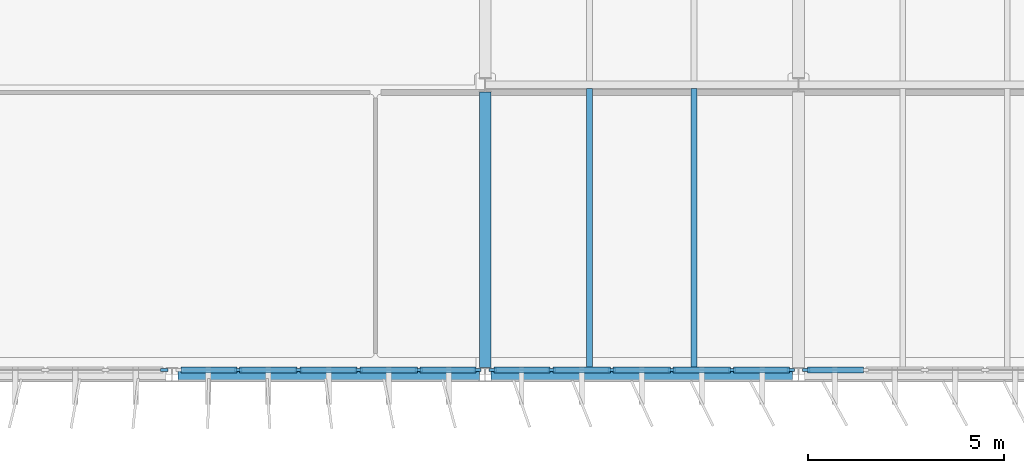
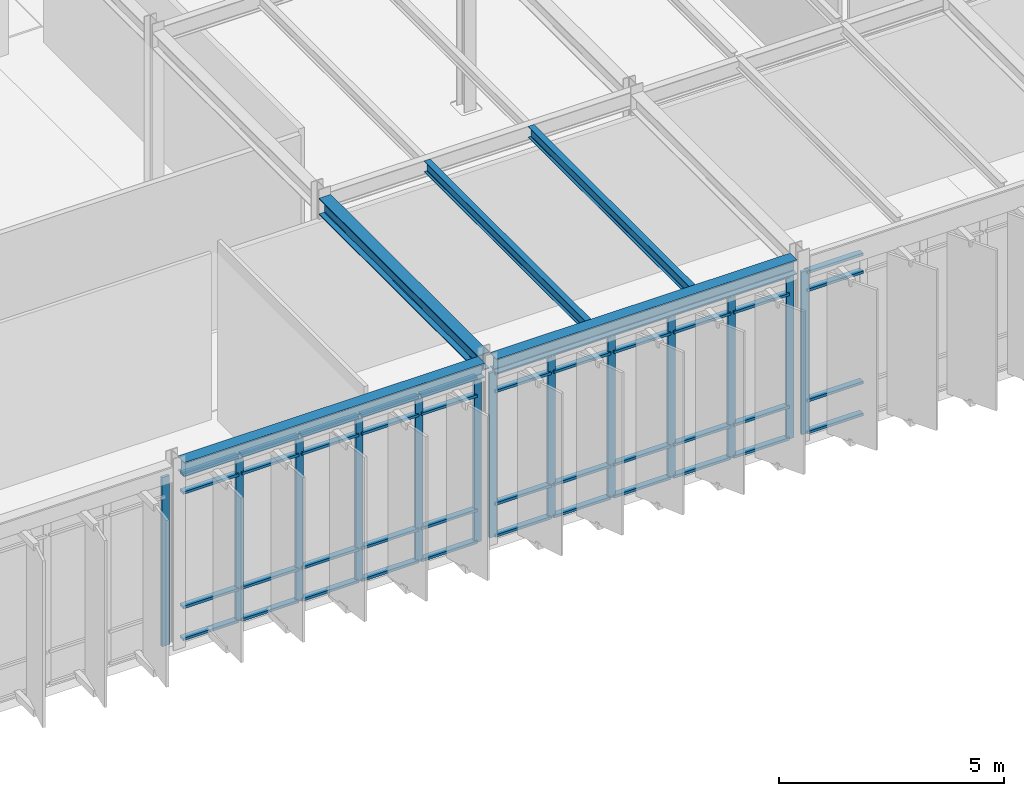
# One storey, part 16 of 48: 57 members, 5 beams, 4 elements without a shape of their own.
"""IFC4 building model written with IfcOpenShell, lengths in metres."""

import ifcopenshell
import ifcopenshell.guid

model = None  # the IFC model being written
_history = None  # IfcOwnerHistory: only IFC2X3 demands one
_inside = {}  # id of a spatial element -> (the spatial element, [elements in it])
_under = {}  # id of a project, library or spatial element -> (it, [spatial elements below it])
_declared = {}  # id of a project -> (the project, [libraries it declares])
_typed = {}  # id of a type object -> (the type object, [elements of that type])
_made_of = {}  # id of a material, layer set ... -> (it, [elements and type objects made of it])


def new_model(schema):
    """Start an empty IFC model of exactly this schema.

    Asked for "IFC4X3", IfcOpenShell would pick the latest addendum, in which some entities
    have other attributes; the version numbers below select the first issue.
    IFC2X3 requires an IfcOwnerHistory on every rooted entity: one is made here for all.
    """
    global model, _history
    if schema == "IFC4X3":
        model = ifcopenshell.file(schema_version=(4, 3, 0, 0))
    else:
        model = ifcopenshell.file(schema=schema)
    _inside.clear()
    _under.clear()
    _declared.clear()
    _typed.clear()
    _made_of.clear()
    _history = None
    if model.schema == "IFC2X3":
        org = make("IfcOrganization", Name="unknown")
        user = make(
            "IfcPersonAndOrganization",
            ThePerson=make("IfcPerson", FamilyName="unknown"),
            TheOrganization=org,
        )
        app = make(
            "IfcApplication",
            ApplicationDeveloper=org,
            Version="unknown",
            ApplicationFullName="unknown",
            ApplicationIdentifier="unknown",
        )
        _history = make(
            "IfcOwnerHistory",
            OwningUser=user,
            OwningApplication=app,
            ChangeAction="ADDED",
            CreationDate=0,
        )
    return model


def make(cls, **values):
    """One entity of the class cls with the attributes given. An attribute that is None is left unset."""
    return model.create_entity(
        cls, **{name: value for name, value in values.items() if value is not None}
    )


def rooted(cls, **values):
    """An entity with a GlobalId (a new one), such as an element, a storey or a relation."""
    return make(cls, GlobalId=ifcopenshell.guid.new(), OwnerHistory=_history, **values)


def si_unit(unit_type, name, prefix=None):
    """IfcSIUnit, for example si_unit("LENGTHUNIT", "METRE", prefix="MILLI")."""
    return make("IfcSIUnit", UnitType=unit_type, Prefix=prefix, Name=name)


def assignment(units):
    """IfcUnitAssignment: the units of a project."""
    return None if units is None else make("IfcUnitAssignment", Units=units)


def point(xyz):
    """IfcCartesianPoint."""
    return None if xyz is None else make("IfcCartesianPoint", Coordinates=xyz)


def direction(xyz):
    """IfcDirection."""
    return None if xyz is None else make("IfcDirection", DirectionRatios=xyz)


def frame(location, z_axis=None, x_axis=None):
    """IfcAxis2Placement3D, a coordinate frame: its origin and axes. An axis left out is left unset."""
    return make(
        "IfcAxis2Placement3D",
        Location=point(location),
        Axis=direction(z_axis),
        RefDirection=direction(x_axis),
    )


def frame_2d(location, x_axis=None):
    """IfcAxis2Placement2D, a coordinate frame in the plane: its origin and x axis."""
    return make(
        "IfcAxis2Placement2D", Location=point(location), RefDirection=direction(x_axis)
    )


def origin():
    """The frame at (0, 0, 0) with its axes left unset."""
    return frame((0.0, 0.0, 0.0))


def origin_2d():
    """The frame at (0, 0) in the plane with its x axis left unset."""
    return frame_2d((0.0, 0.0))


def place(relative_to, where):
    """IfcLocalPlacement: puts the frame where relative to a parent placement (None: the world)."""
    return make(
        "IfcLocalPlacement", PlacementRelTo=relative_to, RelativePlacement=where
    )


def context(
    kind, dimensions, precision=None, world=None, true_north=None, identifier=None
):
    """IfcGeometricRepresentationContext, for example the 3D "Model" context."""
    return make(
        "IfcGeometricRepresentationContext",
        ContextIdentifier=identifier,
        ContextType=kind,
        CoordinateSpaceDimension=dimensions,
        Precision=precision,
        WorldCoordinateSystem=world,
        TrueNorth=true_north,
    )


def subcontext(parent, identifier, kind, view, scale=None):
    """IfcGeometricRepresentationSubContext, for example "Body" below "Model"."""
    return make(
        "IfcGeometricRepresentationSubContext",
        ContextIdentifier=identifier,
        ContextType=kind,
        ParentContext=parent,
        TargetScale=scale,
        TargetView=view,
    )


def project(units=None, contexts=None):
    """IfcProject with its units and contexts."""
    return rooted(
        "IfcProject",
        Name="project",
        RepresentationContexts=contexts,
        UnitsInContext=assignment(units),
    )


def spatial(cls, under=None, at=None, **own):
    """A site, building, storey or space (cls), placed at a placement, below another one or the project."""
    s = rooted(cls, ObjectPlacement=at, **own)
    if under is not None:
        _under.setdefault(under.id(), (under, []))[1].append(s)
    return s


def profile(cls, at=None, kind="AREA", **sizes):
    """A parametric profile (cls). Its sizes go by their IFC names, for example OverallWidth=200.0."""
    return make(cls, ProfileType=kind, Position=at, **sizes)


def rectangle(**sizes):
    """IfcRectangleProfileDef."""
    return profile("IfcRectangleProfileDef", **sizes)


def i_section(**sizes):
    """IfcIShapeProfileDef."""
    return profile("IfcIShapeProfileDef", **sizes)


def extrude(swept, where, along, depth):
    """IfcExtrudedAreaSolid: the profile swept, set in the frame where, extruded along a direction by depth."""
    return make(
        "IfcExtrudedAreaSolid",
        SweptArea=swept,
        Position=where,
        ExtrudedDirection=direction(along),
        Depth=depth,
    )


def shape(context_of_items, identifier, shape_type, items):
    """IfcShapeRepresentation: the items that make up one representation, for example the "Body"."""
    return make(
        "IfcShapeRepresentation",
        ContextOfItems=context_of_items,
        RepresentationIdentifier=identifier,
        RepresentationType=shape_type,
        Items=items,
    )


def material(Name=None, Category=None):
    """IfcMaterial."""
    return make("IfcMaterial", Name=Name, Category=Category)


def layer(
    of_material, thickness, ventilated=None, Name=None, Category=None, Priority=None
):
    """IfcMaterialLayer: one layer of a wall or slab, of a material (None: an air gap)."""
    return make(
        "IfcMaterialLayer",
        Material=of_material,
        LayerThickness=thickness,
        IsVentilated=ventilated,
        Name=Name,
        Category=Category,
        Priority=Priority,
    )


def layer_set(layers, Name=None):
    """IfcMaterialLayerSet."""
    return make("IfcMaterialLayerSet", MaterialLayers=layers, LayerSetName=Name)


def material_profile(
    of_material, cross_section, Name=None, Category=None, Priority=None
):
    """IfcMaterialProfile: a cross section and its material."""
    return make(
        "IfcMaterialProfile",
        Name=Name,
        Material=of_material,
        Profile=cross_section,
        Priority=Priority,
        Category=Category,
    )


def profile_set(profiles, Name=None, composite=None):
    """IfcMaterialProfileSet."""
    return make(
        "IfcMaterialProfileSet",
        Name=Name,
        MaterialProfiles=profiles,
        CompositeProfile=composite,
    )


def made_of(thing, what):
    """Note that an element or type object is made of a material, layer set ...; save() writes the relation."""
    if what is not None:
        _made_of.setdefault(what.id(), (what, []))[1].append(thing)
    return thing


def type_object(cls, material=None, **own):
    """A type object (cls), such as IfcWallType, which elements share."""
    return made_of(rooted(cls, **own), material)


def element(
    cls,
    number,
    at=None,
    inside=None,
    cuts=None,
    type_object=None,
    material=None,
    context=None,
    identifier="Body",
    shape_type=None,
    held_by="IfcProductDefinitionShape",
    body=None,
    shapes=None,
    **own,
):
    """One element of the class cls, such as IfcWall. Its Tag is "e" and its number.

    at: its placement. inside: the storey or other place that contains it. cuts: it is an
    opening in that element (IfcRelVoidsElement). A single representation is given by context,
    identifier, shape_type and body (its items); several are given by shapes. held_by: the class
    of the entity that holds the representations. save() writes the other relations.
    """
    e = rooted(cls, Tag="e%d" % number, ObjectPlacement=at, **own)
    if body is not None:
        shapes = [shape(context, identifier, shape_type, body)]
    if shapes is not None:
        e.Representation = make(held_by, Representations=shapes)
    if inside is not None:
        _inside.setdefault(inside.id(), (inside, []))[1].append(e)
    if cuts is not None:
        rooted(
            "IfcRelVoidsElement", RelatingBuildingElement=cuts, RelatedOpeningElement=e
        )
    if type_object is not None:
        _typed.setdefault(type_object.id(), (type_object, []))[1].append(e)
    return made_of(e, material)


def aggregate(whole, parts):
    """IfcRelAggregates: a whole, such as a stair, and the parts it consists of."""
    return rooted("IfcRelAggregates", RelatingObject=whole, RelatedObjects=parts)


def save(model, path):
    """Write the relations noted so far, then the file.

    IfcRelAggregates (storeys below a building ...), IfcRelContainedInSpatialStructure (elements
    in a storey), IfcRelDefinesByType, IfcRelAssociatesMaterial and IfcRelDeclares: one each for
    every whole, place, type object, material and project.
    """
    for whole, parts in _under.values():
        aggregate(whole, parts)
    for where, things in _inside.values():
        rooted(
            "IfcRelContainedInSpatialStructure",
            RelatedElements=things,
            RelatingStructure=where,
        )
    for kind, things in _typed.values():
        rooted("IfcRelDefinesByType", RelatedObjects=things, RelatingType=kind)
    for what, things in _made_of.values():
        rooted("IfcRelAssociatesMaterial", RelatedObjects=things, RelatingMaterial=what)
    for by, libraries in _declared.values():
        rooted("IfcRelDeclares", RelatingContext=by, RelatedDefinitions=libraries)
    model.write(path)


model = new_model("IFC4")

# Units and contexts
model_context = context("Model", 3, precision=1e-05, world=origin(), true_north=direction((0.0, 1.0)))
body_context = subcontext(model_context, "Body", "Model", "MODEL_VIEW")
ifc_project = project(units=[si_unit("LENGTHUNIT", "METRE"), si_unit("AREAUNIT", "SQUARE_METRE"), si_unit("VOLUMEUNIT", "CUBIC_METRE"), si_unit("PLANEANGLEUNIT", "RADIAN"), si_unit("MASSUNIT", "GRAM", prefix="KILO")], contexts=[model_context])

# Site, building, storey
site_placement = place(None, origin())
site = spatial("IfcSite", under=ifc_project, at=site_placement, CompositionType="ELEMENT")
building_placement = place(site_placement, origin())
building = spatial("IfcBuilding", under=site, at=building_placement, Name="Valkorina Park Police Headquarters", CompositionType="ELEMENT")
storey_placement = place(building_placement, frame((0.0, 0.0, 18.10009765625)))
storey = spatial("IfcBuildingStorey", under=building, at=storey_placement, Name="L05", CompositionType="ELEMENT", Elevation=18.10009765625)

# Beams
ifc_material_1 = material(Name="Steel S355", Category="steel")
ifc_material_profile_1 = material_profile(ifc_material_1, i_section(OverallWidth=0.300048828125, OverallDepth=0.389892578125, WebThickness=0.010986328125, FlangeThickness=0.01904296875, FilletRadius=0.027099609375, at=origin_2d()), Name="HEA 400")
ifc_profile_set_1 = profile_set([ifc_material_profile_1], Name="Steel S355")
beam_type_1 = type_object("IfcBeamType", Name="BM-S355-HEA400-SPN", PredefinedType="SPANDREL", material=ifc_profile_set_1)
for number, where, z_axis, x_axis, name in (
    (1, (72.949951171875, 37.0, 4.784912109375), (1.0, 0.0, 0.0), (0.0, 1.0, 0.0), "L05 Framing Beam 2463"),
    (2, (80.949951171875, 37.0, 4.784912109375), (1.0, 0.0, 0.0), (0.0, 1.0, 0.0), "L05 Framing Beam 2464"),
):
    element("IfcBeam", number, at=place(storey_placement, frame(where, z_axis=z_axis, x_axis=x_axis)), inside=storey, type_object=beam_type_1, Name=name, PredefinedType="SPANDREL", context=body_context, shape_type="SweptSolid", body=[
        extrude(i_section(OverallWidth=0.300048828125, OverallDepth=0.389892578125, WebThickness=0.010986328125, FlangeThickness=0.01904296875, FilletRadius=0.027099609375, at=origin_2d()), origin(), (0.0, 0.0, 1.0), 7.699951171875),
    ])
ifc_material_profile_2 = material_profile(ifc_material_1, i_section(OverallWidth=0.300048828125, OverallDepth=0.449951171875, WebThickness=0.013916015625, FlangeThickness=0.02587890625, FilletRadius=0.027099609375, at=origin_2d()), Name="HEB 450")
ifc_profile_set_2 = profile_set([ifc_material_profile_2], Name="Steel S355")
beam_type_2 = type_object("IfcBeamType", Name="BM-S355-HEB450-BM", PredefinedType="BEAM", material=ifc_profile_set_2)
beam_placement = place(storey_placement, frame((80.800048828125, 37.179931640625, 4.7548828125), z_axis=(0.0, 1.0, 0.0), x_axis=(-1.0, 0.0, 0.0)))
element("IfcBeam", 3, at=beam_placement, inside=storey, type_object=beam_type_2, Name="L05 Framing Beam 2547", PredefinedType="BEAM", context=body_context, shape_type="SweptSolid", body=[
    extrude(i_section(OverallWidth=0.300048828125, OverallDepth=0.449951171875, WebThickness=0.013916015625, FlangeThickness=0.02587890625, FilletRadius=0.027099609375, at=origin_2d()), origin(), (0.0, 0.0, 1.0), 7.0400390625),
])
ifc_material_profile_3 = material_profile(ifc_material_1, i_section(OverallWidth=0.14990234375, OverallDepth=0.300048828125, WebThickness=0.007080078125, FlangeThickness=0.0107421875, FilletRadius=0.014892578125, at=origin_2d()), Name="IPE 300")
ifc_profile_set_3 = profile_set([ifc_material_profile_3], Name="Steel S355")
beam_type_3 = type_object("IfcBeamType", Name="BM-S355-IPE300-JST", PredefinedType="JOIST", material=ifc_profile_set_3)
for number, where, z_axis, x_axis, name in (
    (4, (83.466796875, 37.14990234375, 4.829833984375), (0.0, 1.0, 0.0), (-1.0, 0.0, 0.0), "L05 Framing Beam 2548"),
    (5, (86.13330078125, 37.14990234375, 4.829833984375), (0.0, 1.0, 0.0), (-1.0, 0.0, 0.0), "L05 Framing Beam 2549"),
):
    element("IfcBeam", number, at=place(storey_placement, frame(where, z_axis=z_axis, x_axis=x_axis)), inside=storey, type_object=beam_type_3, Name=name, PredefinedType="JOIST", context=body_context, shape_type="SweptSolid", body=[
        extrude(i_section(OverallWidth=0.14990234375, OverallDepth=0.300048828125, WebThickness=0.007080078125, FlangeThickness=0.0107421875, FilletRadius=0.014892578125, at=origin_2d()), origin(), (0.0, 0.0, 1.0), 7.155029296875),
    ])

# Curtain wall, member
ifc_material_2 = material(Name="Thermally broken aluminium AW-6060", Category="aluminium")
ifc_layer_1 = layer(ifc_material_2, 0.18994140625)
ifc_layer_set_1 = layer_set([ifc_layer_1], Name="Thermally broken aluminium AW-6060")
curtain_wall_type_1 = type_object("IfcCurtainWallType", Name="CW-V5-7680x4410", PredefinedType="NOTDEFINED", material=ifc_layer_set_1)
curtain_wall_1_placement = place(storey_placement, origin())
curtain_wall_1 = element("IfcCurtainWall", 6, at=curtain_wall_1_placement, inside=storey, type_object=curtain_wall_type_1, Name="L05 Unitised Curtain Wall 063", PredefinedType="NOTDEFINED")
ifc_material_profile_4 = material_profile(ifc_material_2, rectangle(XDim=0.070068359375, YDim=0.18994140625, at=origin_2d()), Name="CWM-02 70x190")
ifc_profile_set_4 = profile_set([ifc_material_profile_4], Name="Thermally broken aluminium AW-6060")
member_type_1 = type_object("IfcMemberType", Name="CWM-70x190", PredefinedType="MULLION", material=ifc_profile_set_4)
member_1_placement = place(storey_placement, frame((88.9951171875, 37.1201171875, 0.0), z_axis=(0.0, 0.0, 1.0), x_axis=(0.0, -1.0, 0.0)))
member_1 = element("IfcMember", 7, at=member_1_placement, type_object=member_type_1, Name="CW-V5-768-441 mullion 6", PredefinedType="MULLION", context=body_context, shape_type="SweptSolid", body=[
    extrude(rectangle(XDim=0.070068359375, YDim=0.18994140625, at=origin_2d()), origin(), (0.0, 0.0, 1.0), 4.409912109375),
])

# Curtain wall, members
ifc_layer_2 = layer(ifc_material_2, 0.18994140625)
ifc_layer_set_2 = layer_set([ifc_layer_2], Name="Thermally broken aluminium AW-6060")
curtain_wall_type_2 = type_object("IfcCurtainWallType", Name="CW-V5-7680x4470", PredefinedType="NOTDEFINED", material=ifc_layer_set_2)
curtain_wall_2_placement = place(storey_placement, origin())
curtain_wall_2 = element("IfcCurtainWall", 8, at=curtain_wall_2_placement, inside=storey, type_object=curtain_wall_type_2, Name="L05 Unitised Curtain Wall 064", PredefinedType="NOTDEFINED")
member_2_placement = place(storey_placement, frame((88.60498046875, 37.1201171875, 0.0), z_axis=(0.0, 0.0, 1.0), x_axis=(0.0, -1.0, 0.0)))
member_2 = element("IfcMember", 9, at=member_2_placement, type_object=member_type_1, Name="CW-V5-768-447 mullion 1", PredefinedType="MULLION", context=body_context, shape_type="SweptSolid", body=[
    extrude(rectangle(XDim=0.070068359375, YDim=0.18994140625, at=origin_2d()), origin(), (0.0, 0.0, 1.0), 4.469970703125),
])
member_3_placement = place(storey_placement, frame((87.10400390625, 37.1201171875, 0.0), z_axis=(0.0, 0.0, 1.0), x_axis=(0.0, -1.0, 0.0)))
member_3 = element("IfcMember", 10, at=member_3_placement, type_object=member_type_1, Name="CW-V5-768-447 mullion 2", PredefinedType="MULLION", context=body_context, shape_type="SweptSolid", body=[
    extrude(rectangle(XDim=0.070068359375, YDim=0.18994140625, at=origin_2d()), origin(), (0.0, 0.0, 1.0), 4.469970703125),
])
member_4_placement = place(storey_placement, frame((85.568115234375, 37.1201171875, 0.0), z_axis=(0.0, 0.0, 1.0), x_axis=(0.0, -1.0, 0.0)))
member_4 = element("IfcMember", 11, at=member_4_placement, type_object=member_type_1, Name="CW-V5-768-447 mullion 3", PredefinedType="MULLION", context=body_context, shape_type="SweptSolid", body=[
    extrude(rectangle(XDim=0.070068359375, YDim=0.18994140625, at=origin_2d()), origin(), (0.0, 0.0, 1.0), 4.469970703125),
])
member_5_placement = place(storey_placement, frame((84.031982421875, 37.1201171875, 0.0), z_axis=(0.0, 0.0, 1.0), x_axis=(0.0, -1.0, 0.0)))
member_5 = element("IfcMember", 12, at=member_5_placement, type_object=member_type_1, Name="CW-V5-768-447 mullion 4", PredefinedType="MULLION", context=body_context, shape_type="SweptSolid", body=[
    extrude(rectangle(XDim=0.070068359375, YDim=0.18994140625, at=origin_2d()), origin(), (0.0, 0.0, 1.0), 4.469970703125),
])
member_6_placement = place(storey_placement, frame((82.49609375, 37.1201171875, 0.0), z_axis=(0.0, 0.0, 1.0), x_axis=(0.0, -1.0, 0.0)))
member_6 = element("IfcMember", 13, at=member_6_placement, type_object=member_type_1, Name="CW-V5-768-447 mullion 5", PredefinedType="MULLION", context=body_context, shape_type="SweptSolid", body=[
    extrude(rectangle(XDim=0.070068359375, YDim=0.18994140625, at=origin_2d()), origin(), (0.0, 0.0, 1.0), 4.469970703125),
])
member_7_placement = place(storey_placement, frame((80.9951171875, 37.1201171875, 0.0), z_axis=(0.0, 0.0, 1.0), x_axis=(0.0, -1.0, 0.0)))
member_7 = element("IfcMember", 14, at=member_7_placement, type_object=member_type_1, Name="CW-V5-768-447 mullion 6", PredefinedType="MULLION", context=body_context, shape_type="SweptSolid", body=[
    extrude(rectangle(XDim=0.070068359375, YDim=0.18994140625, at=origin_2d()), origin(), (0.0, 0.0, 1.0), 4.469970703125),
])

ifc_layer_3 = layer(ifc_material_2, 0.18994140625)
ifc_layer_set_3 = layer_set([ifc_layer_3], Name="Thermally broken aluminium AW-6060")
curtain_wall_type_3 = type_object("IfcCurtainWallType", Name="CW-V5-7680x4520", PredefinedType="NOTDEFINED", material=ifc_layer_set_3)
curtain_wall_3_placement = place(storey_placement, origin())
curtain_wall_3 = element("IfcCurtainWall", 15, at=curtain_wall_3_placement, inside=storey, type_object=curtain_wall_type_3, Name="L05 Unitised Curtain Wall 065", PredefinedType="NOTDEFINED")
member_8_placement = place(storey_placement, frame((80.60498046875, 37.1201171875, 0.0), z_axis=(0.0, 0.0, 1.0), x_axis=(0.0, -1.0, 0.0)))
member_8 = element("IfcMember", 16, at=member_8_placement, type_object=member_type_1, Name="CW-V5-768-452 mullion 1", PredefinedType="MULLION", context=body_context, shape_type="SweptSolid", body=[
    extrude(rectangle(XDim=0.070068359375, YDim=0.18994140625, at=origin_2d()), origin(), (0.0, 0.0, 1.0), 4.52001953125),
])
member_9_placement = place(storey_placement, frame((79.10400390625, 37.1201171875, 0.0), z_axis=(0.0, 0.0, 1.0), x_axis=(0.0, -1.0, 0.0)))
member_9 = element("IfcMember", 17, at=member_9_placement, type_object=member_type_1, Name="CW-V5-768-452 mullion 2", PredefinedType="MULLION", context=body_context, shape_type="SweptSolid", body=[
    extrude(rectangle(XDim=0.070068359375, YDim=0.18994140625, at=origin_2d()), origin(), (0.0, 0.0, 1.0), 4.52001953125),
])
member_10_placement = place(storey_placement, frame((77.568115234375, 37.1201171875, 0.0), z_axis=(0.0, 0.0, 1.0), x_axis=(0.0, -1.0, 0.0)))
member_10 = element("IfcMember", 18, at=member_10_placement, type_object=member_type_1, Name="CW-V5-768-452 mullion 3", PredefinedType="MULLION", context=body_context, shape_type="SweptSolid", body=[
    extrude(rectangle(XDim=0.070068359375, YDim=0.18994140625, at=origin_2d()), origin(), (0.0, 0.0, 1.0), 4.52001953125),
])
member_11_placement = place(storey_placement, frame((76.031982421875, 37.1201171875, 0.0), z_axis=(0.0, 0.0, 1.0), x_axis=(0.0, -1.0, 0.0)))
member_11 = element("IfcMember", 19, at=member_11_placement, type_object=member_type_1, Name="CW-V5-768-452 mullion 4", PredefinedType="MULLION", context=body_context, shape_type="SweptSolid", body=[
    extrude(rectangle(XDim=0.070068359375, YDim=0.18994140625, at=origin_2d()), origin(), (0.0, 0.0, 1.0), 4.52001953125),
])
member_12_placement = place(storey_placement, frame((74.49609375, 37.1201171875, 0.0), z_axis=(0.0, 0.0, 1.0), x_axis=(0.0, -1.0, 0.0)))
member_12 = element("IfcMember", 20, at=member_12_placement, type_object=member_type_1, Name="CW-V5-768-452 mullion 5", PredefinedType="MULLION", context=body_context, shape_type="SweptSolid", body=[
    extrude(rectangle(XDim=0.070068359375, YDim=0.18994140625, at=origin_2d()), origin(), (0.0, 0.0, 1.0), 4.52001953125),
])

# Curtain wall, member
ifc_layer_4 = layer(ifc_material_2, 0.18994140625)
ifc_layer_set_4 = layer_set([ifc_layer_4], Name="Thermally broken aluminium AW-6060")
curtain_wall_type_4 = type_object("IfcCurtainWallType", Name="CW-V5-7680x4580", PredefinedType="NOTDEFINED", material=ifc_layer_set_4)
curtain_wall_4_placement = place(storey_placement, origin())
curtain_wall_4 = element("IfcCurtainWall", 21, at=curtain_wall_4_placement, inside=storey, type_object=curtain_wall_type_4, Name="L05 Unitised Curtain Wall 066", PredefinedType="NOTDEFINED")
member_13_placement = place(storey_placement, frame((72.60498046875, 37.1201171875, 0.0), z_axis=(0.0, 0.0, 1.0), x_axis=(0.0, -1.0, 0.0)))
member_13 = element("IfcMember", 22, at=member_13_placement, type_object=member_type_1, Name="CW-V5-768-458 mullion 1", PredefinedType="MULLION", context=body_context, shape_type="SweptSolid", body=[
    extrude(rectangle(XDim=0.070068359375, YDim=0.18994140625, at=origin_2d()), origin(), (0.0, 0.0, 1.0), 4.579833984375),
])
aggregate(curtain_wall_4, [member_13])

# Member
ifc_material_profile_5 = material_profile(ifc_material_2, rectangle(XDim=0.14990234375, YDim=0.070068359375, at=origin_2d()), Name="CWT-02 150x70")
ifc_profile_set_5 = profile_set([ifc_material_profile_5], Name="Thermally broken aluminium AW-6060")
member_type_2 = type_object("IfcMemberType", Name="CWT-150x70", PredefinedType="USERDEFINED", material=ifc_profile_set_5)
member_14_placement = place(storey_placement, frame((90.4609375, 37.1201171875, 0.034912109375), z_axis=(-1.0, 0.0, 0.0), x_axis=(0.0, -1.0, 0.0)))
member_14 = element("IfcMember", 23, at=member_14_placement, type_object=member_type_2, Name="CW-V5-768-441 transom 5.1", ObjectType="TRANSOM", PredefinedType="USERDEFINED", context=body_context, shape_type="SweptSolid", body=[
    extrude(rectangle(XDim=0.14990234375, YDim=0.070068359375, at=origin_2d()), origin(), (0.0, 0.0, 1.0), 1.430908203125),
])

member_15_placement = place(storey_placement, frame((90.4609375, 37.1201171875, 0.89990234375), z_axis=(-1.0, 0.0, 0.0), x_axis=(0.0, -1.0, 0.0)))
member_15 = element("IfcMember", 24, at=member_15_placement, type_object=member_type_2, Name="CW-V5-768-441 transom 5.2", ObjectType="TRANSOM", PredefinedType="USERDEFINED", context=body_context, shape_type="SweptSolid", body=[
    extrude(rectangle(XDim=0.14990234375, YDim=0.070068359375, at=origin_2d()), origin(), (0.0, 0.0, 1.0), 1.430908203125),
])

member_16_placement = place(storey_placement, frame((90.4609375, 37.1201171875, 3.889892578125), z_axis=(-1.0, 0.0, 0.0), x_axis=(0.0, -1.0, 0.0)))
member_16 = element("IfcMember", 25, at=member_16_placement, type_object=member_type_2, Name="CW-V5-768-441 transom 5.3", ObjectType="TRANSOM", PredefinedType="USERDEFINED", context=body_context, shape_type="SweptSolid", body=[
    extrude(rectangle(XDim=0.14990234375, YDim=0.070068359375, at=origin_2d()), origin(), (0.0, 0.0, 1.0), 1.430908203125),
])

member_17_placement = place(storey_placement, frame((90.4609375, 37.1201171875, 4.375), z_axis=(-1.0, 0.0, 0.0), x_axis=(0.0, -1.0, 0.0)))
member_17 = element("IfcMember", 26, at=member_17_placement, type_object=member_type_2, Name="CW-V5-768-441 transom 5.4", ObjectType="TRANSOM", PredefinedType="USERDEFINED", context=body_context, shape_type="SweptSolid", body=[
    extrude(rectangle(XDim=0.14990234375, YDim=0.070068359375, at=origin_2d()), origin(), (0.0, 0.0, 1.0), 1.430908203125),
])

aggregate(curtain_wall_1, [member_1, member_14, member_15, member_16, member_17])

member_18_placement = place(storey_placement, frame((88.570068359375, 37.1201171875, 0.034912109375), z_axis=(-1.0, 0.0, 0.0), x_axis=(0.0, -1.0, 0.0)))
member_18 = element("IfcMember", 27, at=member_18_placement, type_object=member_type_2, Name="CW-V5-768-447 transom 1.1", ObjectType="TRANSOM", PredefinedType="USERDEFINED", context=body_context, shape_type="SweptSolid", body=[
    extrude(rectangle(XDim=0.14990234375, YDim=0.070068359375, at=origin_2d()), origin(), (0.0, 0.0, 1.0), 1.43115234375),
])

member_19_placement = place(storey_placement, frame((88.570068359375, 37.1201171875, 0.89990234375), z_axis=(-1.0, 0.0, 0.0), x_axis=(0.0, -1.0, 0.0)))
member_19 = element("IfcMember", 28, at=member_19_placement, type_object=member_type_2, Name="CW-V5-768-447 transom 1.2", ObjectType="TRANSOM", PredefinedType="USERDEFINED", context=body_context, shape_type="SweptSolid", body=[
    extrude(rectangle(XDim=0.14990234375, YDim=0.070068359375, at=origin_2d()), origin(), (0.0, 0.0, 1.0), 1.43115234375),
])

member_20_placement = place(storey_placement, frame((88.570068359375, 37.1201171875, 3.949951171875), z_axis=(-1.0, 0.0, 0.0), x_axis=(0.0, -1.0, 0.0)))
member_20 = element("IfcMember", 29, at=member_20_placement, type_object=member_type_2, Name="CW-V5-768-447 transom 1.3", ObjectType="TRANSOM", PredefinedType="USERDEFINED", context=body_context, shape_type="SweptSolid", body=[
    extrude(rectangle(XDim=0.14990234375, YDim=0.070068359375, at=origin_2d()), origin(), (0.0, 0.0, 1.0), 1.43115234375),
])

member_21_placement = place(storey_placement, frame((88.570068359375, 37.1201171875, 4.434814453125), z_axis=(-1.0, 0.0, 0.0), x_axis=(0.0, -1.0, 0.0)))
member_21 = element("IfcMember", 30, at=member_21_placement, type_object=member_type_2, Name="CW-V5-768-447 transom 1.4", ObjectType="TRANSOM", PredefinedType="USERDEFINED", context=body_context, shape_type="SweptSolid", body=[
    extrude(rectangle(XDim=0.14990234375, YDim=0.070068359375, at=origin_2d()), origin(), (0.0, 0.0, 1.0), 1.43115234375),
])

member_22_placement = place(storey_placement, frame((87.069091796875, 37.1201171875, 0.034912109375), z_axis=(-1.0, 0.0, 0.0), x_axis=(0.0, -1.0, 0.0)))
member_22 = element("IfcMember", 31, at=member_22_placement, type_object=member_type_2, Name="CW-V5-768-447 transom 2.1", ObjectType="TRANSOM", PredefinedType="USERDEFINED", context=body_context, shape_type="SweptSolid", body=[
    extrude(rectangle(XDim=0.14990234375, YDim=0.070068359375, at=origin_2d()), origin(), (0.0, 0.0, 1.0), 1.466064453125),
])

member_23_placement = place(storey_placement, frame((87.069091796875, 37.1201171875, 0.89990234375), z_axis=(-1.0, 0.0, 0.0), x_axis=(0.0, -1.0, 0.0)))
member_23 = element("IfcMember", 32, at=member_23_placement, type_object=member_type_2, Name="CW-V5-768-447 transom 2.2", ObjectType="TRANSOM", PredefinedType="USERDEFINED", context=body_context, shape_type="SweptSolid", body=[
    extrude(rectangle(XDim=0.14990234375, YDim=0.070068359375, at=origin_2d()), origin(), (0.0, 0.0, 1.0), 1.466064453125),
])

member_24_placement = place(storey_placement, frame((87.069091796875, 37.1201171875, 3.949951171875), z_axis=(-1.0, 0.0, 0.0), x_axis=(0.0, -1.0, 0.0)))
member_24 = element("IfcMember", 33, at=member_24_placement, type_object=member_type_2, Name="CW-V5-768-447 transom 2.3", ObjectType="TRANSOM", PredefinedType="USERDEFINED", context=body_context, shape_type="SweptSolid", body=[
    extrude(rectangle(XDim=0.14990234375, YDim=0.070068359375, at=origin_2d()), origin(), (0.0, 0.0, 1.0), 1.466064453125),
])

member_25_placement = place(storey_placement, frame((87.069091796875, 37.1201171875, 4.434814453125), z_axis=(-1.0, 0.0, 0.0), x_axis=(0.0, -1.0, 0.0)))
member_25 = element("IfcMember", 34, at=member_25_placement, type_object=member_type_2, Name="CW-V5-768-447 transom 2.4", ObjectType="TRANSOM", PredefinedType="USERDEFINED", context=body_context, shape_type="SweptSolid", body=[
    extrude(rectangle(XDim=0.14990234375, YDim=0.070068359375, at=origin_2d()), origin(), (0.0, 0.0, 1.0), 1.466064453125),
])

member_26_placement = place(storey_placement, frame((85.532958984375, 37.1201171875, 0.034912109375), z_axis=(-1.0, 0.0, 0.0), x_axis=(0.0, -1.0, 0.0)))
member_26 = element("IfcMember", 35, at=member_26_placement, type_object=member_type_2, Name="CW-V5-768-447 transom 3.1", ObjectType="TRANSOM", PredefinedType="USERDEFINED", context=body_context, shape_type="SweptSolid", body=[
    extrude(rectangle(XDim=0.14990234375, YDim=0.070068359375, at=origin_2d()), origin(), (0.0, 0.0, 1.0), 1.466064453125),
])

member_27_placement = place(storey_placement, frame((85.532958984375, 37.1201171875, 0.89990234375), z_axis=(-1.0, 0.0, 0.0), x_axis=(0.0, -1.0, 0.0)))
member_27 = element("IfcMember", 36, at=member_27_placement, type_object=member_type_2, Name="CW-V5-768-447 transom 3.2", ObjectType="TRANSOM", PredefinedType="USERDEFINED", context=body_context, shape_type="SweptSolid", body=[
    extrude(rectangle(XDim=0.14990234375, YDim=0.070068359375, at=origin_2d()), origin(), (0.0, 0.0, 1.0), 1.466064453125),
])

member_28_placement = place(storey_placement, frame((85.532958984375, 37.1201171875, 3.949951171875), z_axis=(-1.0, 0.0, 0.0), x_axis=(0.0, -1.0, 0.0)))
member_28 = element("IfcMember", 37, at=member_28_placement, type_object=member_type_2, Name="CW-V5-768-447 transom 3.3", ObjectType="TRANSOM", PredefinedType="USERDEFINED", context=body_context, shape_type="SweptSolid", body=[
    extrude(rectangle(XDim=0.14990234375, YDim=0.070068359375, at=origin_2d()), origin(), (0.0, 0.0, 1.0), 1.466064453125),
])

member_29_placement = place(storey_placement, frame((85.532958984375, 37.1201171875, 4.434814453125), z_axis=(-1.0, 0.0, 0.0), x_axis=(0.0, -1.0, 0.0)))
member_29 = element("IfcMember", 38, at=member_29_placement, type_object=member_type_2, Name="CW-V5-768-447 transom 3.4", ObjectType="TRANSOM", PredefinedType="USERDEFINED", context=body_context, shape_type="SweptSolid", body=[
    extrude(rectangle(XDim=0.14990234375, YDim=0.070068359375, at=origin_2d()), origin(), (0.0, 0.0, 1.0), 1.466064453125),
])

member_30_placement = place(storey_placement, frame((83.9970703125, 37.1201171875, 0.034912109375), z_axis=(-1.0, 0.0, 0.0), x_axis=(0.0, -1.0, 0.0)))
member_30 = element("IfcMember", 39, at=member_30_placement, type_object=member_type_2, Name="CW-V5-768-447 transom 4.1", ObjectType="TRANSOM", PredefinedType="USERDEFINED", context=body_context, shape_type="SweptSolid", body=[
    extrude(rectangle(XDim=0.14990234375, YDim=0.070068359375, at=origin_2d()), origin(), (0.0, 0.0, 1.0), 1.466064453125),
])

member_31_placement = place(storey_placement, frame((83.9970703125, 37.1201171875, 0.89990234375), z_axis=(-1.0, 0.0, 0.0), x_axis=(0.0, -1.0, 0.0)))
member_31 = element("IfcMember", 40, at=member_31_placement, type_object=member_type_2, Name="CW-V5-768-447 transom 4.2", ObjectType="TRANSOM", PredefinedType="USERDEFINED", context=body_context, shape_type="SweptSolid", body=[
    extrude(rectangle(XDim=0.14990234375, YDim=0.070068359375, at=origin_2d()), origin(), (0.0, 0.0, 1.0), 1.466064453125),
])

member_32_placement = place(storey_placement, frame((83.9970703125, 37.1201171875, 3.949951171875), z_axis=(-1.0, 0.0, 0.0), x_axis=(0.0, -1.0, 0.0)))
member_32 = element("IfcMember", 41, at=member_32_placement, type_object=member_type_2, Name="CW-V5-768-447 transom 4.3", ObjectType="TRANSOM", PredefinedType="USERDEFINED", context=body_context, shape_type="SweptSolid", body=[
    extrude(rectangle(XDim=0.14990234375, YDim=0.070068359375, at=origin_2d()), origin(), (0.0, 0.0, 1.0), 1.466064453125),
])

member_33_placement = place(storey_placement, frame((83.9970703125, 37.1201171875, 4.434814453125), z_axis=(-1.0, 0.0, 0.0), x_axis=(0.0, -1.0, 0.0)))
member_33 = element("IfcMember", 42, at=member_33_placement, type_object=member_type_2, Name="CW-V5-768-447 transom 4.4", ObjectType="TRANSOM", PredefinedType="USERDEFINED", context=body_context, shape_type="SweptSolid", body=[
    extrude(rectangle(XDim=0.14990234375, YDim=0.070068359375, at=origin_2d()), origin(), (0.0, 0.0, 1.0), 1.466064453125),
])

member_34_placement = place(storey_placement, frame((82.4609375, 37.1201171875, 0.034912109375), z_axis=(-1.0, 0.0, 0.0), x_axis=(0.0, -1.0, 0.0)))
member_34 = element("IfcMember", 43, at=member_34_placement, type_object=member_type_2, Name="CW-V5-768-447 transom 5.1", ObjectType="TRANSOM", PredefinedType="USERDEFINED", context=body_context, shape_type="SweptSolid", body=[
    extrude(rectangle(XDim=0.14990234375, YDim=0.070068359375, at=origin_2d()), origin(), (0.0, 0.0, 1.0), 1.430908203125),
])

member_35_placement = place(storey_placement, frame((82.4609375, 37.1201171875, 0.89990234375), z_axis=(-1.0, 0.0, 0.0), x_axis=(0.0, -1.0, 0.0)))
member_35 = element("IfcMember", 44, at=member_35_placement, type_object=member_type_2, Name="CW-V5-768-447 transom 5.2", ObjectType="TRANSOM", PredefinedType="USERDEFINED", context=body_context, shape_type="SweptSolid", body=[
    extrude(rectangle(XDim=0.14990234375, YDim=0.070068359375, at=origin_2d()), origin(), (0.0, 0.0, 1.0), 1.430908203125),
])

member_36_placement = place(storey_placement, frame((82.4609375, 37.1201171875, 3.949951171875), z_axis=(-1.0, 0.0, 0.0), x_axis=(0.0, -1.0, 0.0)))
member_36 = element("IfcMember", 45, at=member_36_placement, type_object=member_type_2, Name="CW-V5-768-447 transom 5.3", ObjectType="TRANSOM", PredefinedType="USERDEFINED", context=body_context, shape_type="SweptSolid", body=[
    extrude(rectangle(XDim=0.14990234375, YDim=0.070068359375, at=origin_2d()), origin(), (0.0, 0.0, 1.0), 1.430908203125),
])

member_37_placement = place(storey_placement, frame((82.4609375, 37.1201171875, 4.434814453125), z_axis=(-1.0, 0.0, 0.0), x_axis=(0.0, -1.0, 0.0)))
member_37 = element("IfcMember", 46, at=member_37_placement, type_object=member_type_2, Name="CW-V5-768-447 transom 5.4", ObjectType="TRANSOM", PredefinedType="USERDEFINED", context=body_context, shape_type="SweptSolid", body=[
    extrude(rectangle(XDim=0.14990234375, YDim=0.070068359375, at=origin_2d()), origin(), (0.0, 0.0, 1.0), 1.430908203125),
])

aggregate(curtain_wall_2, [member_2, member_3, member_4, member_5, member_6, member_7, member_18, member_19, member_20, member_21, member_22, member_23, member_24, member_25, member_26, member_27, member_28, member_29, member_30, member_31, member_32, member_33, member_34, member_35, member_36, member_37])

member_38_placement = place(storey_placement, frame((80.570068359375, 37.1201171875, 0.034912109375), z_axis=(-1.0, 0.0, 0.0), x_axis=(0.0, -1.0, 0.0)))
member_38 = element("IfcMember", 47, at=member_38_placement, type_object=member_type_2, Name="CW-V5-768-452 transom 1.1", ObjectType="TRANSOM", PredefinedType="USERDEFINED", context=body_context, shape_type="SweptSolid", body=[
    extrude(rectangle(XDim=0.14990234375, YDim=0.070068359375, at=origin_2d()), origin(), (0.0, 0.0, 1.0), 1.43115234375),
])

member_39_placement = place(storey_placement, frame((80.570068359375, 37.1201171875, 0.89990234375), z_axis=(-1.0, 0.0, 0.0), x_axis=(0.0, -1.0, 0.0)))
member_39 = element("IfcMember", 48, at=member_39_placement, type_object=member_type_2, Name="CW-V5-768-452 transom 1.2", ObjectType="TRANSOM", PredefinedType="USERDEFINED", context=body_context, shape_type="SweptSolid", body=[
    extrude(rectangle(XDim=0.14990234375, YDim=0.070068359375, at=origin_2d()), origin(), (0.0, 0.0, 1.0), 1.43115234375),
])

member_40_placement = place(storey_placement, frame((80.570068359375, 37.1201171875, 4.0), z_axis=(-1.0, 0.0, 0.0), x_axis=(0.0, -1.0, 0.0)))
member_40 = element("IfcMember", 49, at=member_40_placement, type_object=member_type_2, Name="CW-V5-768-452 transom 1.3", ObjectType="TRANSOM", PredefinedType="USERDEFINED", context=body_context, shape_type="SweptSolid", body=[
    extrude(rectangle(XDim=0.14990234375, YDim=0.070068359375, at=origin_2d()), origin(), (0.0, 0.0, 1.0), 1.43115234375),
])

member_41_placement = place(storey_placement, frame((80.570068359375, 37.1201171875, 4.48486328125), z_axis=(-1.0, 0.0, 0.0), x_axis=(0.0, -1.0, 0.0)))
member_41 = element("IfcMember", 50, at=member_41_placement, type_object=member_type_2, Name="CW-V5-768-452 transom 1.4", ObjectType="TRANSOM", PredefinedType="USERDEFINED", context=body_context, shape_type="SweptSolid", body=[
    extrude(rectangle(XDim=0.14990234375, YDim=0.070068359375, at=origin_2d()), origin(), (0.0, 0.0, 1.0), 1.43115234375),
])

member_42_placement = place(storey_placement, frame((79.069091796875, 37.1201171875, 0.034912109375), z_axis=(-1.0, 0.0, 0.0), x_axis=(0.0, -1.0, 0.0)))
member_42 = element("IfcMember", 51, at=member_42_placement, type_object=member_type_2, Name="CW-V5-768-452 transom 2.1", ObjectType="TRANSOM", PredefinedType="USERDEFINED", context=body_context, shape_type="SweptSolid", body=[
    extrude(rectangle(XDim=0.14990234375, YDim=0.070068359375, at=origin_2d()), origin(), (0.0, 0.0, 1.0), 1.466064453125),
])

member_43_placement = place(storey_placement, frame((79.069091796875, 37.1201171875, 0.89990234375), z_axis=(-1.0, 0.0, 0.0), x_axis=(0.0, -1.0, 0.0)))
member_43 = element("IfcMember", 52, at=member_43_placement, type_object=member_type_2, Name="CW-V5-768-452 transom 2.2", ObjectType="TRANSOM", PredefinedType="USERDEFINED", context=body_context, shape_type="SweptSolid", body=[
    extrude(rectangle(XDim=0.14990234375, YDim=0.070068359375, at=origin_2d()), origin(), (0.0, 0.0, 1.0), 1.466064453125),
])

member_44_placement = place(storey_placement, frame((79.069091796875, 37.1201171875, 4.0), z_axis=(-1.0, 0.0, 0.0), x_axis=(0.0, -1.0, 0.0)))
member_44 = element("IfcMember", 53, at=member_44_placement, type_object=member_type_2, Name="CW-V5-768-452 transom 2.3", ObjectType="TRANSOM", PredefinedType="USERDEFINED", context=body_context, shape_type="SweptSolid", body=[
    extrude(rectangle(XDim=0.14990234375, YDim=0.070068359375, at=origin_2d()), origin(), (0.0, 0.0, 1.0), 1.466064453125),
])

member_45_placement = place(storey_placement, frame((79.069091796875, 37.1201171875, 4.48486328125), z_axis=(-1.0, 0.0, 0.0), x_axis=(0.0, -1.0, 0.0)))
member_45 = element("IfcMember", 54, at=member_45_placement, type_object=member_type_2, Name="CW-V5-768-452 transom 2.4", ObjectType="TRANSOM", PredefinedType="USERDEFINED", context=body_context, shape_type="SweptSolid", body=[
    extrude(rectangle(XDim=0.14990234375, YDim=0.070068359375, at=origin_2d()), origin(), (0.0, 0.0, 1.0), 1.466064453125),
])

member_46_placement = place(storey_placement, frame((77.532958984375, 37.1201171875, 0.034912109375), z_axis=(-1.0, 0.0, 0.0), x_axis=(0.0, -1.0, 0.0)))
member_46 = element("IfcMember", 55, at=member_46_placement, type_object=member_type_2, Name="CW-V5-768-452 transom 3.1", ObjectType="TRANSOM", PredefinedType="USERDEFINED", context=body_context, shape_type="SweptSolid", body=[
    extrude(rectangle(XDim=0.14990234375, YDim=0.070068359375, at=origin_2d()), origin(), (0.0, 0.0, 1.0), 1.466064453125),
])

member_47_placement = place(storey_placement, frame((77.532958984375, 37.1201171875, 0.89990234375), z_axis=(-1.0, 0.0, 0.0), x_axis=(0.0, -1.0, 0.0)))
member_47 = element("IfcMember", 56, at=member_47_placement, type_object=member_type_2, Name="CW-V5-768-452 transom 3.2", ObjectType="TRANSOM", PredefinedType="USERDEFINED", context=body_context, shape_type="SweptSolid", body=[
    extrude(rectangle(XDim=0.14990234375, YDim=0.070068359375, at=origin_2d()), origin(), (0.0, 0.0, 1.0), 1.466064453125),
])

member_48_placement = place(storey_placement, frame((77.532958984375, 37.1201171875, 4.0), z_axis=(-1.0, 0.0, 0.0), x_axis=(0.0, -1.0, 0.0)))
member_48 = element("IfcMember", 57, at=member_48_placement, type_object=member_type_2, Name="CW-V5-768-452 transom 3.3", ObjectType="TRANSOM", PredefinedType="USERDEFINED", context=body_context, shape_type="SweptSolid", body=[
    extrude(rectangle(XDim=0.14990234375, YDim=0.070068359375, at=origin_2d()), origin(), (0.0, 0.0, 1.0), 1.466064453125),
])

member_49_placement = place(storey_placement, frame((77.532958984375, 37.1201171875, 4.48486328125), z_axis=(-1.0, 0.0, 0.0), x_axis=(0.0, -1.0, 0.0)))
member_49 = element("IfcMember", 58, at=member_49_placement, type_object=member_type_2, Name="CW-V5-768-452 transom 3.4", ObjectType="TRANSOM", PredefinedType="USERDEFINED", context=body_context, shape_type="SweptSolid", body=[
    extrude(rectangle(XDim=0.14990234375, YDim=0.070068359375, at=origin_2d()), origin(), (0.0, 0.0, 1.0), 1.466064453125),
])

member_50_placement = place(storey_placement, frame((75.9970703125, 37.1201171875, 0.034912109375), z_axis=(-1.0, 0.0, 0.0), x_axis=(0.0, -1.0, 0.0)))
member_50 = element("IfcMember", 59, at=member_50_placement, type_object=member_type_2, Name="CW-V5-768-452 transom 4.1", ObjectType="TRANSOM", PredefinedType="USERDEFINED", context=body_context, shape_type="SweptSolid", body=[
    extrude(rectangle(XDim=0.14990234375, YDim=0.070068359375, at=origin_2d()), origin(), (0.0, 0.0, 1.0), 1.466064453125),
])

member_51_placement = place(storey_placement, frame((75.9970703125, 37.1201171875, 0.89990234375), z_axis=(-1.0, 0.0, 0.0), x_axis=(0.0, -1.0, 0.0)))
member_51 = element("IfcMember", 60, at=member_51_placement, type_object=member_type_2, Name="CW-V5-768-452 transom 4.2", ObjectType="TRANSOM", PredefinedType="USERDEFINED", context=body_context, shape_type="SweptSolid", body=[
    extrude(rectangle(XDim=0.14990234375, YDim=0.070068359375, at=origin_2d()), origin(), (0.0, 0.0, 1.0), 1.466064453125),
])

member_52_placement = place(storey_placement, frame((75.9970703125, 37.1201171875, 4.0), z_axis=(-1.0, 0.0, 0.0), x_axis=(0.0, -1.0, 0.0)))
member_52 = element("IfcMember", 61, at=member_52_placement, type_object=member_type_2, Name="CW-V5-768-452 transom 4.3", ObjectType="TRANSOM", PredefinedType="USERDEFINED", context=body_context, shape_type="SweptSolid", body=[
    extrude(rectangle(XDim=0.14990234375, YDim=0.070068359375, at=origin_2d()), origin(), (0.0, 0.0, 1.0), 1.466064453125),
])

member_53_placement = place(storey_placement, frame((75.9970703125, 37.1201171875, 4.48486328125), z_axis=(-1.0, 0.0, 0.0), x_axis=(0.0, -1.0, 0.0)))
member_53 = element("IfcMember", 62, at=member_53_placement, type_object=member_type_2, Name="CW-V5-768-452 transom 4.4", ObjectType="TRANSOM", PredefinedType="USERDEFINED", context=body_context, shape_type="SweptSolid", body=[
    extrude(rectangle(XDim=0.14990234375, YDim=0.070068359375, at=origin_2d()), origin(), (0.0, 0.0, 1.0), 1.466064453125),
])

member_54_placement = place(storey_placement, frame((74.4609375, 37.1201171875, 0.034912109375), z_axis=(-1.0, 0.0, 0.0), x_axis=(0.0, -1.0, 0.0)))
member_54 = element("IfcMember", 63, at=member_54_placement, type_object=member_type_2, Name="CW-V5-768-452 transom 5.1", ObjectType="TRANSOM", PredefinedType="USERDEFINED", context=body_context, shape_type="SweptSolid", body=[
    extrude(rectangle(XDim=0.14990234375, YDim=0.070068359375, at=origin_2d()), origin(), (0.0, 0.0, 1.0), 1.430908203125),
])

member_55_placement = place(storey_placement, frame((74.4609375, 37.1201171875, 0.89990234375), z_axis=(-1.0, 0.0, 0.0), x_axis=(0.0, -1.0, 0.0)))
member_55 = element("IfcMember", 64, at=member_55_placement, type_object=member_type_2, Name="CW-V5-768-452 transom 5.2", ObjectType="TRANSOM", PredefinedType="USERDEFINED", context=body_context, shape_type="SweptSolid", body=[
    extrude(rectangle(XDim=0.14990234375, YDim=0.070068359375, at=origin_2d()), origin(), (0.0, 0.0, 1.0), 1.430908203125),
])

member_56_placement = place(storey_placement, frame((74.4609375, 37.1201171875, 4.0), z_axis=(-1.0, 0.0, 0.0), x_axis=(0.0, -1.0, 0.0)))
member_56 = element("IfcMember", 65, at=member_56_placement, type_object=member_type_2, Name="CW-V5-768-452 transom 5.3", ObjectType="TRANSOM", PredefinedType="USERDEFINED", context=body_context, shape_type="SweptSolid", body=[
    extrude(rectangle(XDim=0.14990234375, YDim=0.070068359375, at=origin_2d()), origin(), (0.0, 0.0, 1.0), 1.430908203125),
])

member_57_placement = place(storey_placement, frame((74.4609375, 37.1201171875, 4.48486328125), z_axis=(-1.0, 0.0, 0.0), x_axis=(0.0, -1.0, 0.0)))
member_57 = element("IfcMember", 66, at=member_57_placement, type_object=member_type_2, Name="CW-V5-768-452 transom 5.4", ObjectType="TRANSOM", PredefinedType="USERDEFINED", context=body_context, shape_type="SweptSolid", body=[
    extrude(rectangle(XDim=0.14990234375, YDim=0.070068359375, at=origin_2d()), origin(), (0.0, 0.0, 1.0), 1.430908203125),
])

aggregate(curtain_wall_3, [member_8, member_9, member_10, member_11, member_12, member_38, member_39, member_40, member_41, member_42, member_43, member_44, member_45, member_46, member_47, member_48, member_49, member_50, member_51, member_52, member_53, member_54, member_55, member_56, member_57])

save(model, "model.ifc")
